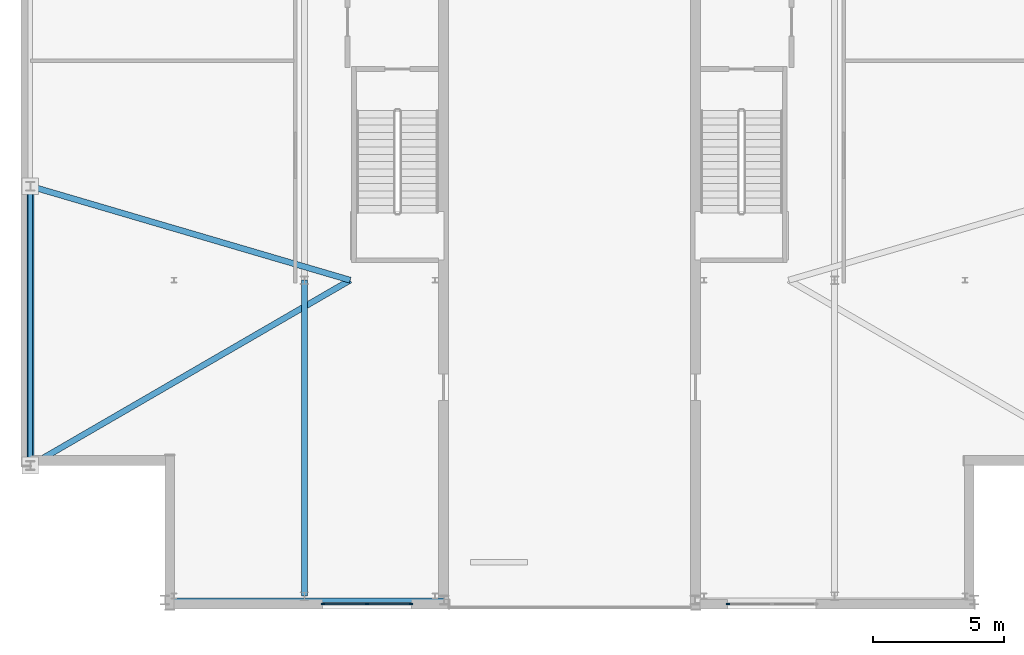
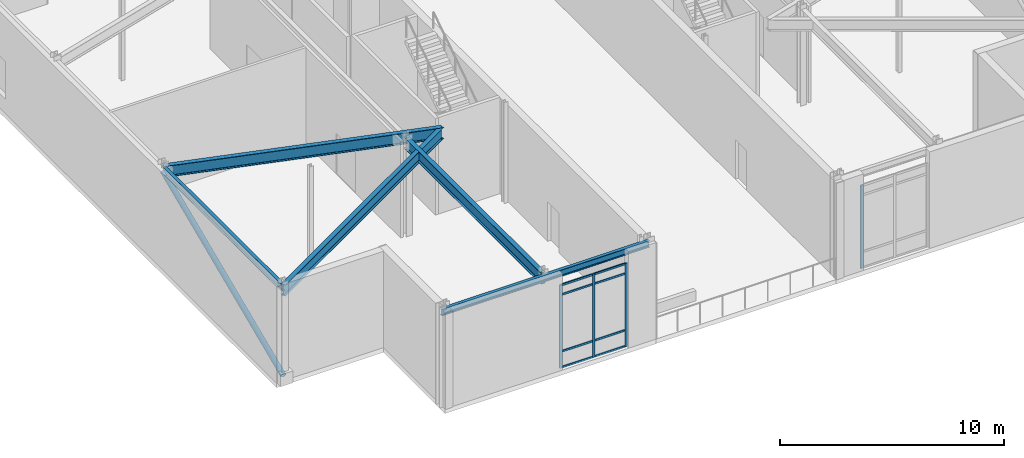
# One storey, part 7 of 16: 13 members, 5 beams, 2 elements without a shape of their own.
"""IFC4 building model written with IfcOpenShell, lengths in metres."""

from ifc_helpers import new_model, si_unit, direction, frame, origin, origin_2d, place, context, subcontext, project, spatial, rectangle, hollow_circle, i_section, extrude, material, layer, layer_set, material_profile, profile_set, type_object, element, aggregate, save


model = new_model("IFC4")

# Units and contexts
model_context = context("Model", 3, precision=1e-05, world=origin(), true_north=direction((0.0, 1.0)))
body_context = subcontext(model_context, "Body", "Model", "MODEL_VIEW")
ifc_project = project(units=[si_unit("LENGTHUNIT", "METRE"), si_unit("AREAUNIT", "SQUARE_METRE"), si_unit("VOLUMEUNIT", "CUBIC_METRE"), si_unit("PLANEANGLEUNIT", "RADIAN"), si_unit("MASSUNIT", "GRAM", prefix="KILO")], contexts=[model_context])

# Site, building, storey
site_placement = place(None, origin())
site = spatial("IfcSite", under=ifc_project, at=site_placement, CompositionType="ELEMENT")
building_placement = place(site_placement, origin())
building = spatial("IfcBuilding", under=site, at=building_placement, Name="Cairnveth Concourse Tower", CompositionType="ELEMENT")
storey_placement = place(building_placement, frame((0.0, 0.0, 324.5)))
storey = spatial("IfcBuildingStorey", under=building, at=storey_placement, Name="L89", CompositionType="ELEMENT", Elevation=324.5)

# Curtain wall, members
ifc_material_1 = material(Name="Architectural Bronze Anodised Aluminium 6063-T6", Category="aluminium")
ifc_layer = layer(ifc_material_1, 0.320068359375)
ifc_layer_set = layer_set([ifc_layer], Name="Architectural Bronze Anodised Aluminium 6063-T6")
curtain_wall_type = type_object("IfcCurtainWallType", Name="CROWN LANTERN GABLE CURTAIN WALL", PredefinedType="USERDEFINED", material=ifc_layer_set)
curtain_wall_1_placement = place(storey_placement, origin())
curtain_wall_1 = element("IfcCurtainWall", 1, at=curtain_wall_1_placement, inside=storey, type_object=curtain_wall_type, Name="Curtain Wall CW-L89-CROWN-W7", ObjectType="SHOPFRONT GLAZING", PredefinedType="USERDEFINED")
ifc_material_profile_1 = material_profile(ifc_material_1, rectangle(XDim=0.06005859375, YDim=0.135009765625, at=origin_2d()), Name="AL-MUL-60x135")
ifc_profile_set_1 = profile_set([ifc_material_profile_1], Name="Architectural Bronze Anodised Aluminium 6063-T6")
member_type_1 = type_object("IfcMemberType", Name="BRONZE CURTAIN WALL MULLION AL-MUL-60x135", PredefinedType="MULLION", material=ifc_profile_set_1)
member_1_placement = place(storey_placement, frame((45.93505859375, 18.18994140625, 0.0), z_axis=(0.0, 0.0, 1.0), x_axis=(0.0, -1.0, 0.0)))
member_1 = element("IfcMember", 2, at=member_1_placement, type_object=member_type_1, Name="CWS6 mullion 1", PredefinedType="MULLION", context=body_context, shape_type="SweptSolid", body=[
    extrude(rectangle(XDim=0.06005859375, YDim=0.135009765625, at=origin_2d()), origin(), (0.0, 0.0, 1.0), 4.5380859375),
])
member_2_placement = place(storey_placement, frame((44.25, 18.18994140625, 0.0), z_axis=(0.0, 0.0, 1.0), x_axis=(0.0, -1.0, 0.0)))
member_2 = element("IfcMember", 3, at=member_2_placement, type_object=member_type_1, Name="CWS6 mullion 2", PredefinedType="MULLION", context=body_context, shape_type="SweptSolid", body=[
    extrude(rectangle(XDim=0.06005859375, YDim=0.135009765625, at=origin_2d()), origin(), (0.0, 0.0, 1.0), 4.5380859375),
])
member_3_placement = place(storey_placement, frame((42.56494140625, 18.18994140625, 0.0), z_axis=(0.0, 0.0, 1.0), x_axis=(0.0, -1.0, 0.0)))
member_3 = element("IfcMember", 4, at=member_3_placement, type_object=member_type_1, Name="CWS6 mullion 3", PredefinedType="MULLION", context=body_context, shape_type="SweptSolid", body=[
    extrude(rectangle(XDim=0.06005859375, YDim=0.135009765625, at=origin_2d()), origin(), (0.0, 0.0, 1.0), 4.5380859375),
])

# Curtain wall, member
curtain_wall_2_placement = place(storey_placement, origin())
curtain_wall_2 = element("IfcCurtainWall", 5, at=curtain_wall_2_placement, inside=storey, type_object=curtain_wall_type, Name="Curtain Wall CW-L89-CROWN-E7", ObjectType="SHOPFRONT GLAZING", PredefinedType="USERDEFINED")
member_4_placement = place(storey_placement, frame((58.06494140625, 18.18994140625, 0.0), z_axis=(0.0, 0.0, 1.0), x_axis=(0.0, -1.0, 0.0)))
member_4 = element("IfcMember", 6, at=member_4_placement, type_object=member_type_1, Name="CWS6 mullion 3", PredefinedType="MULLION", context=body_context, shape_type="SweptSolid", body=[
    extrude(rectangle(XDim=0.06005859375, YDim=0.135009765625, at=origin_2d()), origin(), (0.0, 0.0, 1.0), 4.5380859375),
])
aggregate(curtain_wall_2, [member_4])

# Member
ifc_material_profile_2 = material_profile(ifc_material_1, rectangle(XDim=0.06005859375, YDim=0.10498046875, at=origin_2d()), Name="AL-TRN-60x105")
ifc_profile_set_2 = profile_set([ifc_material_profile_2], Name="Architectural Bronze Anodised Aluminium 6063-T6")
member_type_2 = type_object("IfcMemberType", Name="BRONZE CURTAIN WALL TRANSOM AL-TRN-60x105", PredefinedType="USERDEFINED", material=ifc_profile_set_2)
member_5_placement = place(storey_placement, frame((45.905029296875, 18.18994140625, 0.030029296875), z_axis=(-1.0, 0.0, 0.0), x_axis=(0.0, -1.0, 0.0)))
member_5 = element("IfcMember", 7, at=member_5_placement, type_object=member_type_2, Name="CWS6 transom 1.1", ObjectType="TRANSOM", PredefinedType="USERDEFINED", context=body_context, shape_type="SweptSolid", body=[
    extrude(rectangle(XDim=0.06005859375, YDim=0.10498046875, at=origin_2d()), origin(), (0.0, 0.0, 1.0), 1.625),
])

member_6_placement = place(storey_placement, frame((45.905029296875, 18.18994140625, 0.89990234375), z_axis=(-1.0, 0.0, 0.0), x_axis=(0.0, -1.0, 0.0)))
member_6 = element("IfcMember", 8, at=member_6_placement, type_object=member_type_2, Name="CWS6 transom 1.2", ObjectType="TRANSOM", PredefinedType="USERDEFINED", context=body_context, shape_type="SweptSolid", body=[
    extrude(rectangle(XDim=0.06005859375, YDim=0.10498046875, at=origin_2d()), origin(), (0.0, 0.0, 1.0), 1.625),
])

member_7_placement = place(storey_placement, frame((45.905029296875, 18.18994140625, 3.988037109375), z_axis=(-1.0, 0.0, 0.0), x_axis=(0.0, -1.0, 0.0)))
member_7 = element("IfcMember", 9, at=member_7_placement, type_object=member_type_2, Name="CWS6 transom 1.3", ObjectType="TRANSOM", PredefinedType="USERDEFINED", context=body_context, shape_type="SweptSolid", body=[
    extrude(rectangle(XDim=0.06005859375, YDim=0.10498046875, at=origin_2d()), origin(), (0.0, 0.0, 1.0), 1.625),
])

member_8_placement = place(storey_placement, frame((45.905029296875, 18.18994140625, 4.508056640625), z_axis=(-1.0, 0.0, 0.0), x_axis=(0.0, -1.0, 0.0)))
member_8 = element("IfcMember", 10, at=member_8_placement, type_object=member_type_2, Name="CWS6 transom 1.4", ObjectType="TRANSOM", PredefinedType="USERDEFINED", context=body_context, shape_type="SweptSolid", body=[
    extrude(rectangle(XDim=0.06005859375, YDim=0.10498046875, at=origin_2d()), origin(), (0.0, 0.0, 1.0), 1.625),
])

member_9_placement = place(storey_placement, frame((44.219970703125, 18.18994140625, 0.030029296875), z_axis=(-1.0, 0.0, 0.0), x_axis=(0.0, -1.0, 0.0)))
member_9 = element("IfcMember", 11, at=member_9_placement, type_object=member_type_2, Name="CWS6 transom 2.1", ObjectType="TRANSOM", PredefinedType="USERDEFINED", context=body_context, shape_type="SweptSolid", body=[
    extrude(rectangle(XDim=0.06005859375, YDim=0.10498046875, at=origin_2d()), origin(), (0.0, 0.0, 1.0), 1.625),
])

member_10_placement = place(storey_placement, frame((44.219970703125, 18.18994140625, 0.89990234375), z_axis=(-1.0, 0.0, 0.0), x_axis=(0.0, -1.0, 0.0)))
member_10 = element("IfcMember", 12, at=member_10_placement, type_object=member_type_2, Name="CWS6 transom 2.2", ObjectType="TRANSOM", PredefinedType="USERDEFINED", context=body_context, shape_type="SweptSolid", body=[
    extrude(rectangle(XDim=0.06005859375, YDim=0.10498046875, at=origin_2d()), origin(), (0.0, 0.0, 1.0), 1.625),
])

member_11_placement = place(storey_placement, frame((44.219970703125, 18.18994140625, 3.988037109375), z_axis=(-1.0, 0.0, 0.0), x_axis=(0.0, -1.0, 0.0)))
member_11 = element("IfcMember", 13, at=member_11_placement, type_object=member_type_2, Name="CWS6 transom 2.3", ObjectType="TRANSOM", PredefinedType="USERDEFINED", context=body_context, shape_type="SweptSolid", body=[
    extrude(rectangle(XDim=0.06005859375, YDim=0.10498046875, at=origin_2d()), origin(), (0.0, 0.0, 1.0), 1.625),
])

member_12_placement = place(storey_placement, frame((44.219970703125, 18.18994140625, 4.508056640625), z_axis=(-1.0, 0.0, 0.0), x_axis=(0.0, -1.0, 0.0)))
member_12 = element("IfcMember", 14, at=member_12_placement, type_object=member_type_2, Name="CWS6 transom 2.4", ObjectType="TRANSOM", PredefinedType="USERDEFINED", context=body_context, shape_type="SweptSolid", body=[
    extrude(rectangle(XDim=0.06005859375, YDim=0.10498046875, at=origin_2d()), origin(), (0.0, 0.0, 1.0), 1.625),
])

aggregate(curtain_wall_1, [member_1, member_2, member_3, member_5, member_6, member_7, member_8, member_9, member_10, member_11, member_12])

ifc_material_2 = material(Name="Steel C350L0 (350 MPa)", Category="steel")
ifc_material_profile_3 = material_profile(ifc_material_2, hollow_circle(Radius=0.136474609375, WallThickness=0.0126953125, at=origin_2d()), Name="273.1x12.7CHS")
ifc_profile_set_3 = profile_set([ifc_material_profile_3], Name="Steel C350L0 (350 MPa)")
member_type_3 = type_object("IfcMemberType", Name="CROWN PORTAL STRUT 273.1X12.7CHS", PredefinedType="STRUT", material=ifc_profile_set_3)
member_13_placement = place(storey_placement, frame((31.35009765625, 23.5, 0.300048828125), z_axis=(0.0, 0.918704252821, 0.394946193611), x_axis=(-1.0, 0.0, 0.0)))
element("IfcMember", 15, at=member_13_placement, inside=storey, type_object=member_type_3, Name="Structural Brace CSR-W1 L89", PredefinedType="STRUT", context=body_context, shape_type="SweptSolid", body=[
    extrude(hollow_circle(Radius=0.136474609375, WallThickness=0.0126953125, at=origin_2d()), origin(), (0.0, 0.0, 1.0), 11.646728515625),
])

# Beams
ifc_material_3 = material(Name="Steel Grade 350", Category="steel")
ifc_material_profile_4 = material_profile(ifc_material_3, i_section(OverallWidth=0.22900390625, OverallDepth=0.612060546875, WebThickness=0.011962890625, FlangeThickness=0.01953125, FilletRadius=0.013916015625, at=origin_2d()), Name="610UB125")
ifc_profile_set_4 = profile_set([ifc_material_profile_4], Name="Steel Grade 350")
beam_type_1 = type_object("IfcBeamType", Name="ZONE 4 RADIAL GIRDER 610UB125", PredefinedType="BEAM", material=ifc_profile_set_4)
beam_1_placement = place(storey_placement, frame((31.35009765625, 23.5, 4.944091796875), z_axis=(0.86518141842, 0.501458984584, 0.0), x_axis=(-0.501458984584, 0.86518141842, 0.0)))
element("IfcBeam", 16, at=beam_1_placement, inside=storey, type_object=beam_type_1, Name="Beam CB-W1 L89", PredefinedType="BEAM", context=body_context, shape_type="SweptSolid", body=[
    extrude(i_section(OverallWidth=0.22900390625, OverallDepth=0.612060546875, WebThickness=0.011962890625, FlangeThickness=0.01953125, FilletRadius=0.013916015625, at=origin_2d()), origin(), (0.0, 0.0, 1.0), 14.158935546875),
])
beam_2_placement = place(storey_placement, frame((31.35009765625, 34.199951171875, 4.944091796875), z_axis=(0.959430938842, -0.281943741893, 0.0), x_axis=(0.281943741893, 0.959430938842, 0.0)))
element("IfcBeam", 17, at=beam_2_placement, inside=storey, type_object=beam_type_1, Name="Beam CB-W2 L89", PredefinedType="BEAM", context=body_context, shape_type="SweptSolid", body=[
    extrude(i_section(OverallWidth=0.22900390625, OverallDepth=0.612060546875, WebThickness=0.011962890625, FlangeThickness=0.01953125, FilletRadius=0.013916015625, at=origin_2d()), origin(), (0.0, 0.0, 1.0), 12.76806640625),
])
beam_3_placement = place(storey_placement, frame((41.85009765625, 18.5, 4.944091796875), z_axis=(0.0, 1.0, 0.0), x_axis=(-1.0, 0.0, 0.0)))
element("IfcBeam", 18, at=beam_3_placement, inside=storey, type_object=beam_type_1, Name="Beam CB-WM1 L89", PredefinedType="BEAM", context=body_context, shape_type="SweptSolid", body=[
    extrude(i_section(OverallWidth=0.22900390625, OverallDepth=0.612060546875, WebThickness=0.011962890625, FlangeThickness=0.01953125, FilletRadius=0.013916015625, at=origin_2d()), origin(), (0.0, 0.0, 1.0), 12.10009765625),
])
ifc_material_profile_5 = material_profile(ifc_material_3, i_section(OverallWidth=0.172119140625, OverallDepth=0.35888671875, WebThickness=0.008056640625, FlangeThickness=0.012939453125, FilletRadius=0.010986328125, at=origin_2d()), Name="360UB56.7")
ifc_profile_set_5 = profile_set([ifc_material_profile_5], Name="Steel Grade 350")
beam_type_2 = type_object("IfcBeamType", Name="ZONE 4 SPANDREL BEAM 360UB56.7", PredefinedType="SPANDREL", material=ifc_profile_set_5)
for number, where, z_axis, x_axis, name in (
    (19, (36.5, 18.35009765625, 5.070556640625), (1.0, 0.0, 0.0), (0.0, 1.0, 0.0), "Beam CSP-WS L89"),
    (20, (31.35009765625, 23.5, 5.070556640625), (0.0, 1.0, 0.0), (-1.0, 0.0, 0.0), "Beam CSP-WW1 L89"),
):
    element("IfcBeam", number, at=place(storey_placement, frame(where, z_axis=z_axis, x_axis=x_axis)), inside=storey, type_object=beam_type_2, Name=name, PredefinedType="SPANDREL", context=body_context, shape_type="SweptSolid", body=[
        extrude(i_section(OverallWidth=0.172119140625, OverallDepth=0.35888671875, WebThickness=0.008056640625, FlangeThickness=0.012939453125, FilletRadius=0.010986328125, at=origin_2d()), origin(), (0.0, 0.0, 1.0), 10.699951171875),
    ])

save(model, "model.ifc")
